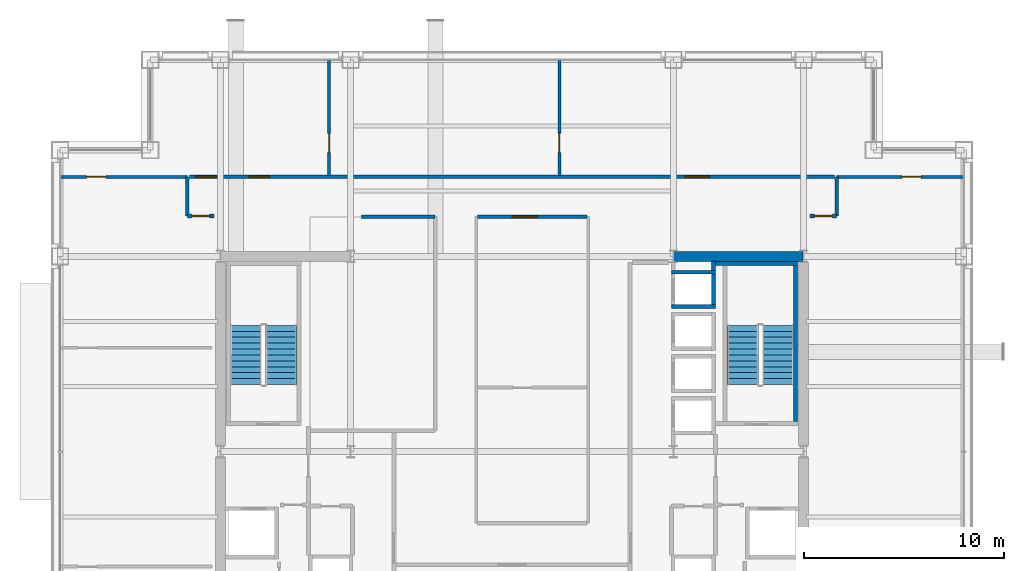
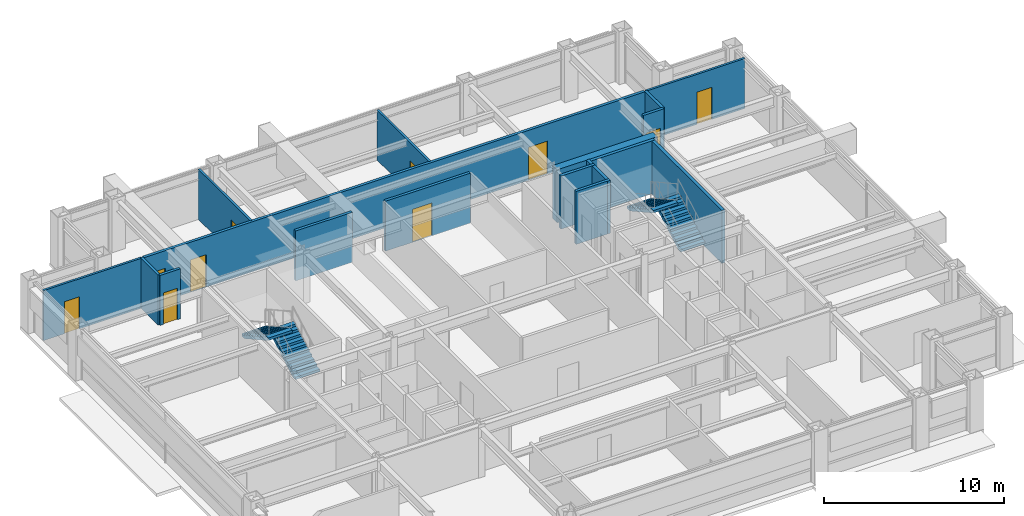
# One storey, part 33 of 34: 17 walls, 10 doors, 4 stair flights, 10 openings, 2 elements without a shape of their own.
"""IFC4 building model written with IfcOpenShell, lengths in metres."""

from ifc_helpers import new_model, si_unit, direction, frame, frame_2d, origin, place, context, subcontext, project, spatial, polyline, rectangle, outline, extrude, material, layer, layer_set, type_object, element, fill, aggregate, save


model = new_model("IFC4")

# Units and contexts
model_context = context("Model", 3, precision=1e-05, world=origin(), true_north=direction((0.0, 1.0)))
body_context = subcontext(model_context, "Body", "Model", "MODEL_VIEW")
ifc_project = project(units=[si_unit("LENGTHUNIT", "METRE"), si_unit("AREAUNIT", "SQUARE_METRE"), si_unit("VOLUMEUNIT", "CUBIC_METRE"), si_unit("PLANEANGLEUNIT", "RADIAN"), si_unit("MASSUNIT", "GRAM", prefix="KILO")], contexts=[model_context])

# Site, building, storey
site_placement = place(None, origin())
site = spatial("IfcSite", under=ifc_project, at=site_placement, CompositionType="ELEMENT")
building_placement = place(site_placement, origin())
building = spatial("IfcBuilding", under=site, at=building_placement, Name="Brelmoor Portico Tower", CompositionType="ELEMENT")
storey_placement = place(building_placement, frame((0.0, 0.0, 117.0)))
storey = spatial("IfcBuildingStorey", under=building, at=storey_placement, Name="L30", CompositionType="ELEMENT", Elevation=117.0)

# Wall
ifc_material_1 = material(Name="Concrete C60", Category="concrete")
ifc_layer_1 = layer(ifc_material_1, 0.5)
ifc_layer_set_1 = layer_set([ifc_layer_1], Name="Concrete C60")
wall_type_1 = type_object("IfcWallType", Name="WL-CORE-500", PredefinedType="SHEAR", material=ifc_layer_set_1)
wall_1_placement = place(storey_placement, frame((8.070068359375, 9.75, -0.199951171875), z_axis=(0.0, 0.0, 1.0), x_axis=(1.0, 0.0, 0.0)))
element("IfcWall", 1, at=wall_1_placement, inside=storey, type_object=wall_type_1, Name="L30 EC North Shear Wall", PredefinedType="SHEAR", context=body_context, shape_type="SweptSolid", body=[
    extrude(rectangle(XDim=6.4599609375, YDim=0.5, at=frame_2d((3.22998046875, 0.0))), origin(), (0.0, 0.0, 1.0), 3.599853515625),
])

# Wall, opening, door
ifc_material_2 = material(Name="Insulated Stud Suite Partition", Category="gypsum")
ifc_layer_2 = layer(ifc_material_2, 0.139892578125)
ifc_layer_set_2 = layer_set([ifc_layer_2], Name="Insulated Stud Suite Partition")
wall_type_2 = type_object("IfcWallType", Name="WL-PART-140", PredefinedType="PARTITIONING", material=ifc_layer_set_2)
wall_2_placement = place(storey_placement, frame((-9.13134765625, 13.77001953125, 0.0), z_axis=(0.0, 0.0, 1.0), x_axis=(0.0, 1.0, 0.0)))
wall_2 = element("IfcWall", 2, at=wall_2_placement, inside=storey, type_object=wall_type_2, Name="L30 North Suite Partition 1", PredefinedType="PARTITIONING", context=body_context, shape_type="SweptSolid", body=[
    extrude(rectangle(XDim=5.7900390625, YDim=0.139892578125, at=frame_2d((2.89501953125, 0.0))), origin(), (0.0, 0.0, 1.0), 3.39990234375),
])
opening_1_placement = place(wall_2_placement, frame((1.14990234375, 0.0, 0.0)))
opening_1 = element("IfcOpeningElement", 3, at=opening_1_placement, cuts=wall_2, Name="Opening D-IN2", PredefinedType="OPENING", context=body_context, shape_type="SweptSolid", body=[
    extrude(rectangle(XDim=0.9599609375, YDim=2.179931640625, at=frame_2d((0.47998046875, 1.08984375))), frame((0.0, 0.079833984375, 0.0), z_axis=(0.0, -1.0, 0.0), x_axis=(1.0, 0.0, 0.0)), (0.0, 0.0, 1.0), 0.159912109375),
])
ifc_material_3 = material(Name="Lacquered Timber Suite Door", Category="wood")
door_type_1 = type_object("IfcDoorType", Name="DR-INT-950", OperationType="NOTDEFINED", PredefinedType="DOOR", material=ifc_material_3)
door_1_placement = place(opening_1_placement, origin())
door_1 = element("IfcDoor", 4, at=door_1_placement, inside=storey, type_object=door_type_1, Name="D-1329 L30 North Suite Connecting Door 1", OperationType="SINGLE_SWING_RIGHT", OverallHeight=2.179931640625, OverallWidth=0.9599609375, PredefinedType="DOOR", context=body_context, shape_type="SweptSolid", body=[
    extrude(rectangle(XDim=0.9599609375, YDim=2.179931640625, at=frame_2d((0.47998046875, 1.08984375))), frame((0.0, 0.02490234375, 0.0), z_axis=(0.0, -1.0, 0.0), x_axis=(1.0, 0.0, 0.0)), (0.0, 0.0, 1.0), 0.050048828125),
])
fill(opening_1, door_1)

wall_3_placement = place(storey_placement, frame((2.367431640625, 13.77001953125, 0.0), z_axis=(0.0, 0.0, 1.0), x_axis=(0.0, 1.0, 0.0)))
wall_3 = element("IfcWall", 5, at=wall_3_placement, inside=storey, type_object=wall_type_2, Name="L30 North Suite Partition 2", PredefinedType="PARTITIONING", context=body_context, shape_type="SweptSolid", body=[
    extrude(rectangle(XDim=5.7900390625, YDim=0.139892578125, at=frame_2d((2.89501953125, 0.0))), origin(), (0.0, 0.0, 1.0), 3.39990234375),
])
opening_2_placement = place(wall_3_placement, frame((1.14990234375, 0.0, 0.0)))
opening_2 = element("IfcOpeningElement", 6, at=opening_2_placement, cuts=wall_3, Name="Opening D-IN2", PredefinedType="OPENING", context=body_context, shape_type="SweptSolid", body=[
    extrude(rectangle(XDim=0.9599609375, YDim=2.179931640625, at=frame_2d((0.47998046875, 1.08984375))), frame((0.0, 0.079833984375, 0.0), z_axis=(0.0, -1.0, 0.0), x_axis=(1.0, 0.0, 0.0)), (0.0, 0.0, 1.0), 0.159912109375),
])
door_2_placement = place(opening_2_placement, origin())
door_2 = element("IfcDoor", 7, at=door_2_placement, inside=storey, type_object=door_type_1, Name="D-1330 L30 North Suite Connecting Door 2", OperationType="SINGLE_SWING_LEFT", OverallHeight=2.179931640625, OverallWidth=0.9599609375, PredefinedType="DOOR", context=body_context, shape_type="SweptSolid", body=[
    extrude(rectangle(XDim=0.9599609375, YDim=2.179931640625, at=frame_2d((0.47998046875, 1.08984375))), frame((0.0, 0.02490234375, 0.0), z_axis=(0.0, -1.0, 0.0), x_axis=(1.0, 0.0, 0.0)), (0.0, 0.0, 1.0), 0.050048828125),
])
fill(opening_2, door_2)

wall_4_placement = place(storey_placement, frame((-22.56005859375, 13.7099609375, 0.0), z_axis=(0.0, 0.0, 1.0), x_axis=(1.0, 0.0, 0.0)))
wall_4 = element("IfcWall", 8, at=wall_4_placement, inside=storey, type_object=wall_type_2, Name="L30 North Wing Closure WL", PredefinedType="PARTITIONING", context=body_context, shape_type="SweptSolid", body=[
    extrude(rectangle(XDim=6.360107421875, YDim=0.139892578125, at=frame_2d((3.18017578125, 0.0))), origin(), (0.0, 0.0, 1.0), 3.39990234375),
])
opening_3_placement = place(wall_4_placement, frame((1.340087890625, 0.0, 0.0)))
opening_3 = element("IfcOpeningElement", 9, at=opening_3_placement, cuts=wall_4, Name="Opening D-IN2", PredefinedType="OPENING", context=body_context, shape_type="SweptSolid", body=[
    extrude(rectangle(XDim=0.9599609375, YDim=2.179931640625, at=frame_2d((0.47998046875, 1.08984375))), frame((0.0, 0.079833984375, 0.0), z_axis=(0.0, -1.0, 0.0), x_axis=(1.0, 0.0, 0.0)), (0.0, 0.0, 1.0), 0.159912109375),
])
door_3_placement = place(opening_3_placement, origin())
door_3 = element("IfcDoor", 10, at=door_3_placement, inside=storey, type_object=door_type_1, Name="D-1332 L30 WL Wing North Suite Door", OperationType="SINGLE_SWING_LEFT", OverallHeight=2.179931640625, OverallWidth=0.9599609375, PredefinedType="DOOR", context=body_context, shape_type="SweptSolid", body=[
    extrude(rectangle(XDim=0.9599609375, YDim=2.179931640625, at=frame_2d((0.47998046875, 1.08984375))), frame((0.0, 0.02490234375, 0.0), z_axis=(0.0, -1.0, 0.0), x_axis=(1.0, 0.0, 0.0)), (0.0, 0.0, 1.0), 0.050048828125),
])
fill(opening_3, door_3)

wall_5_placement = place(storey_placement, frame((16.199951171875, 13.7099609375, 0.0), z_axis=(0.0, 0.0, 1.0), x_axis=(1.0, 0.0, 0.0)))
wall_5 = element("IfcWall", 11, at=wall_5_placement, inside=storey, type_object=wall_type_2, Name="L30 North Wing Closure ER", PredefinedType="PARTITIONING", context=body_context, shape_type="SweptSolid", body=[
    extrude(rectangle(XDim=6.360107421875, YDim=0.139892578125, at=frame_2d((3.18017578125, 0.0))), origin(), (0.0, 0.0, 1.0), 3.39990234375),
])
opening_4_placement = place(wall_5_placement, frame((3.260009765625, 0.0, 0.0)))
opening_4 = element("IfcOpeningElement", 12, at=opening_4_placement, cuts=wall_5, Name="Opening D-IN2", PredefinedType="OPENING", context=body_context, shape_type="SweptSolid", body=[
    extrude(rectangle(XDim=0.9599609375, YDim=2.179931640625, at=frame_2d((0.47998046875, 1.08984375))), frame((0.0, 0.079833984375, 0.0), z_axis=(0.0, -1.0, 0.0), x_axis=(1.0, 0.0, 0.0)), (0.0, 0.0, 1.0), 0.159912109375),
])
door_4_placement = place(opening_4_placement, origin())
door_4 = element("IfcDoor", 13, at=door_4_placement, inside=storey, type_object=door_type_1, Name="D-1331 L30 ER Wing North Suite Door", OperationType="SINGLE_SWING_RIGHT", OverallHeight=2.179931640625, OverallWidth=0.9599609375, PredefinedType="DOOR", context=body_context, shape_type="SweptSolid", body=[
    extrude(rectangle(XDim=0.9599609375, YDim=2.179931640625, at=frame_2d((0.47998046875, 1.08984375))), frame((0.0, 0.02490234375, 0.0), z_axis=(0.0, -1.0, 0.0), x_axis=(1.0, 0.0, 0.0)), (0.0, 0.0, 1.0), 0.050048828125),
])
fill(opening_4, door_4)

# Wall
ifc_material_4 = material(Name="Acoustic Corridor Fire Partition", Category="gypsum")
ifc_layer_3 = layer(ifc_material_4, 0.179931640625)
ifc_layer_set_3 = layer_set([ifc_layer_3], Name="Acoustic Corridor Fire Partition")
wall_type_3 = type_object("IfcWallType", Name="WL-PART-180", PredefinedType="PARTITIONING", material=ifc_layer_set_3)
wall_6_placement = place(storey_placement, frame((-7.5, 11.72998046875, 0.0), z_axis=(0.0, 0.0, 1.0), x_axis=(1.0, 0.0, 0.0)))
element("IfcWall", 14, at=wall_6_placement, inside=storey, type_object=wall_type_3, Name="L30 Reclaimed West Suite North Wall", PredefinedType="PARTITIONING", context=body_context, shape_type="SweptSolid", body=[
    extrude(rectangle(XDim=3.659912109375, YDim=0.179931640625, at=frame_2d((1.830078125, 0.0))), origin(), (0.0, 0.0, 1.0), 3.39990234375),
])

# Wall, opening, door
wall_7_placement = place(storey_placement, frame((-1.72998046875, 11.72998046875, 0.0), z_axis=(0.0, 0.0, 1.0), x_axis=(1.0, 0.0, 0.0)))
wall_7 = element("IfcWall", 15, at=wall_7_placement, inside=storey, type_object=wall_type_3, Name="L30 Central Meeting North Wall", PredefinedType="PARTITIONING", context=body_context, shape_type="SweptSolid", body=[
    extrude(rectangle(XDim=5.47998046875, YDim=0.179931640625, at=frame_2d((2.739990234375, 0.0))), origin(), (0.0, 0.0, 1.0), 3.39990234375),
])
opening_5_placement = place(wall_7_placement, frame((1.75, 0.0, 0.0)))
opening_5 = element("IfcOpeningElement", 16, at=opening_5_placement, cuts=wall_7, Name="Opening D-SU1", PredefinedType="OPENING", context=body_context, shape_type="SweptSolid", body=[
    extrude(rectangle(XDim=1.239990234375, YDim=2.239990234375, at=frame_2d((0.6201171875, 1.1201171875))), frame((0.0, 0.099853515625, 0.0), z_axis=(0.0, -1.0, 0.0), x_axis=(1.0, 0.0, 0.0)), (0.0, 0.0, 1.0), 0.199951171875),
])
ifc_material_5 = material(Name="Glazed Timber Executive Suite Door", Category="wood")
door_type_2 = type_object("IfcDoorType", Name="DR-SUITE-1200", OperationType="NOTDEFINED", PredefinedType="DOOR", material=ifc_material_5)
door_5_placement = place(opening_5_placement, origin())
door_5 = element("IfcDoor", 17, at=door_5_placement, inside=storey, type_object=door_type_2, Name="D-1312 L30 Client Meeting Room Door", OperationType="SINGLE_SWING_LEFT", OverallHeight=2.239990234375, OverallWidth=1.239990234375, PredefinedType="DOOR", context=body_context, shape_type="SweptSolid", body=[
    extrude(rectangle(XDim=1.239990234375, YDim=2.239990234375, at=frame_2d((0.6201171875, 1.1201171875))), frame((0.0, 0.02490234375, 0.0), z_axis=(0.0, -1.0, 0.0), x_axis=(1.0, 0.0, 0.0)), (0.0, 0.0, 1.0), 0.050048828125),
])
fill(opening_5, door_5)

# Wall, openings, doors
wall_8_placement = place(storey_placement, frame((-16.10009765625, 13.7099609375, 0.0), z_axis=(0.0, 0.0, 1.0), x_axis=(1.0, 0.0, 0.0)))
wall_8 = element("IfcWall", 18, at=wall_8_placement, inside=storey, type_object=wall_type_3, Name="L30 North Corridor Partition", PredefinedType="PARTITIONING", context=body_context, shape_type="SweptSolid", body=[
    extrude(rectangle(XDim=32.2001953125, YDim=0.179931640625, at=frame_2d((16.10009765625, 0.0))), origin(), (0.0, 0.0, 1.0), 3.39990234375),
])
opening_6_placement = place(wall_8_placement, frame((2.974365234375, 0.0, 0.0)))
opening_6 = element("IfcOpeningElement", 19, at=opening_6_placement, cuts=wall_8, Name="Opening D-OF1", PredefinedType="OPENING", context=body_context, shape_type="SweptSolid", body=[
    extrude(rectangle(XDim=1.02001953125, YDim=2.199951171875, at=frame_2d((0.510009765625, 1.10009765625))), frame((0.0, 0.099853515625, 0.0), z_axis=(0.0, -1.0, 0.0), x_axis=(1.0, 0.0, 0.0)), (0.0, 0.0, 1.0), 0.199951171875),
])
opening_7_placement = place(wall_8_placement, frame((0.300048828125, 0.0, 0.0)))
opening_7 = element("IfcOpeningElement", 20, at=opening_7_placement, cuts=wall_8, Name="Opening D-OF2", PredefinedType="OPENING", context=body_context, shape_type="SweptSolid", body=[
    extrude(rectangle(XDim=1.06005859375, YDim=2.199951171875, at=frame_2d((0.530029296875, 1.10009765625))), frame((0.0, 0.099853515625, 0.0), z_axis=(0.0, -1.0, 0.0), x_axis=(1.0, 0.0, 0.0)), (0.0, 0.0, 1.0), 0.199951171875),
])
opening_8_placement = place(wall_8_placement, frame((24.713623046875, 0.0, 0.0)))
opening_8 = element("IfcOpeningElement", 21, at=opening_8_placement, cuts=wall_8, Name="Opening D-SU1", PredefinedType="OPENING", context=body_context, shape_type="SweptSolid", body=[
    extrude(rectangle(XDim=1.239990234375, YDim=2.239990234375, at=frame_2d((0.6201171875, 1.1201171875))), frame((0.0, 0.099853515625, 0.0), z_axis=(0.0, -1.0, 0.0), x_axis=(1.0, 0.0, 0.0)), (0.0, 0.0, 1.0), 0.199951171875),
])
ifc_material_6 = material(Name="Hardwood Acoustic Veneer Door", Category="wood")
door_type_3 = type_object("IfcDoorType", Name="DR-OFFICE-1000", OperationType="NOTDEFINED", PredefinedType="DOOR", material=ifc_material_6)
door_6_placement = place(opening_6_placement, origin())
door_6 = element("IfcDoor", 22, at=door_6_placement, inside=storey, type_object=door_type_3, Name="D-1326 L30 North Open-Plan Office 1 Door", OperationType="SINGLE_SWING_RIGHT", OverallHeight=2.199951171875, OverallWidth=1.02001953125, PredefinedType="DOOR", context=body_context, shape_type="SweptSolid", body=[
    extrude(rectangle(XDim=1.02001953125, YDim=2.199951171875, at=frame_2d((0.510009765625, 1.10009765625))), frame((0.0, 0.02490234375, 0.0), z_axis=(0.0, -1.0, 0.0), x_axis=(1.0, 0.0, 0.0)), (0.0, 0.0, 1.0), 0.050048828125),
])
fill(opening_6, door_6)
door_type_4 = type_object("IfcDoorType", Name="DR-OFFICE-1050", OperationType="NOTDEFINED", PredefinedType="DOOR", material=ifc_material_6)
door_7_placement = place(opening_7_placement, origin())
door_7 = element("IfcDoor", 23, at=door_7_placement, inside=storey, type_object=door_type_4, Name="D-1327 L30 North Cellular Office 2 Door", OperationType="SINGLE_SWING_LEFT", OverallHeight=2.199951171875, OverallWidth=1.06005859375, PredefinedType="DOOR", context=body_context, shape_type="SweptSolid", body=[
    extrude(rectangle(XDim=1.06005859375, YDim=2.199951171875, at=frame_2d((0.530029296875, 1.10009765625))), frame((0.0, 0.02490234375, 0.0), z_axis=(0.0, -1.0, 0.0), x_axis=(1.0, 0.0, 0.0)), (0.0, 0.0, 1.0), 0.050048828125),
])
fill(opening_7, door_7)
door_8_placement = place(opening_8_placement, origin())
door_8 = element("IfcDoor", 24, at=door_8_placement, inside=storey, type_object=door_type_2, Name="D-1328 L30 North Technical Archive Store 3 Door", OperationType="SINGLE_SWING_RIGHT", OverallHeight=2.239990234375, OverallWidth=1.239990234375, PredefinedType="DOOR", context=body_context, shape_type="SweptSolid", body=[
    extrude(rectangle(XDim=1.239990234375, YDim=2.239990234375, at=frame_2d((0.6201171875, 1.1201171875))), frame((0.0, 0.02490234375, 0.0), z_axis=(0.0, -1.0, 0.0), x_axis=(1.0, 0.0, 0.0)), (0.0, 0.0, 1.0), 0.050048828125),
])
fill(opening_8, door_8)

# Wall, opening, door
wall_9_placement = place(storey_placement, frame((-16.199951171875, 11.760009765625, 0.0), z_axis=(0.0, 0.0, 1.0), x_axis=(1.0, 0.0, 0.0)))
wall_9 = element("IfcWall", 25, at=wall_9_placement, inside=storey, type_object=wall_type_3, Name="L30 W Wing North Entry Wall", PredefinedType="PARTITIONING", context=body_context, shape_type="SweptSolid", body=[
    extrude(rectangle(XDim=1.320068359375, YDim=0.179931640625, at=frame_2d((0.66015625, 0.0))), origin(), (0.0, 0.0, 1.0), 3.39990234375),
])
opening_9_placement = place(wall_9_placement, frame((0.2099609375, 0.0, 0.0)))
opening_9 = element("IfcOpeningElement", 26, at=opening_9_placement, cuts=wall_9, Name="Opening D-IN1", PredefinedType="OPENING", context=body_context, shape_type="SweptSolid", body=[
    extrude(rectangle(XDim=0.89990234375, YDim=2.14990234375, at=frame_2d((0.449951171875, 1.074951171875))), frame((0.0, 0.099853515625, 0.0), z_axis=(0.0, -1.0, 0.0), x_axis=(1.0, 0.0, 0.0)), (0.0, 0.0, 1.0), 0.199951171875),
])
door_type_5 = type_object("IfcDoorType", Name="DR-INT-900", OperationType="NOTDEFINED", PredefinedType="DOOR", material=ifc_material_3)
door_9_placement = place(opening_9_placement, origin())
door_9 = element("IfcDoor", 27, at=door_9_placement, inside=storey, type_object=door_type_5, Name="D-1344 L30 W Wing Entry Door", OperationType="SINGLE_SWING_RIGHT", OverallHeight=2.14990234375, OverallWidth=0.89990234375, PredefinedType="DOOR", context=body_context, shape_type="SweptSolid", body=[
    extrude(rectangle(XDim=0.89990234375, YDim=2.14990234375, at=frame_2d((0.449951171875, 1.074951171875))), frame((0.0, 0.02490234375, 0.0), z_axis=(0.0, -1.0, 0.0), x_axis=(1.0, 0.0, 0.0)), (0.0, 0.0, 1.0), 0.050048828125),
])
fill(opening_9, door_9)

# Wall
wall_10_placement = place(storey_placement, frame((-16.199951171875, 11.760009765625, 0.0), z_axis=(0.0, 0.0, 1.0), x_axis=(0.0, 1.0, 0.0)))
element("IfcWall", 28, at=wall_10_placement, inside=storey, type_object=wall_type_3, Name="L30 W Corridor End Closure", PredefinedType="PARTITIONING", context=body_context, shape_type="SweptSolid", body=[
    extrude(rectangle(XDim=1.949951171875, YDim=0.179931640625, at=frame_2d((0.97509765625, 0.0))), origin(), (0.0, 0.0, 1.0), 3.39990234375),
])

# Wall, opening, door
wall_11_placement = place(storey_placement, frame((14.8798828125, 11.760009765625, 0.0), z_axis=(0.0, 0.0, 1.0), x_axis=(1.0, 0.0, 0.0)))
wall_11 = element("IfcWall", 29, at=wall_11_placement, inside=storey, type_object=wall_type_3, Name="L30 E Wing North Entry Wall", PredefinedType="PARTITIONING", context=body_context, shape_type="SweptSolid", body=[
    extrude(rectangle(XDim=1.320068359375, YDim=0.179931640625, at=frame_2d((0.66015625, 0.0))), origin(), (0.0, 0.0, 1.0), 3.39990234375),
])
opening_10_placement = place(wall_11_placement, frame((0.2099609375, 0.0, 0.0)))
opening_10 = element("IfcOpeningElement", 30, at=opening_10_placement, cuts=wall_11, Name="Opening D-IN1", PredefinedType="OPENING", context=body_context, shape_type="SweptSolid", body=[
    extrude(rectangle(XDim=0.89990234375, YDim=2.14990234375, at=frame_2d((0.449951171875, 1.074951171875))), frame((0.0, 0.099853515625, 0.0), z_axis=(0.0, -1.0, 0.0), x_axis=(1.0, 0.0, 0.0)), (0.0, 0.0, 1.0), 0.199951171875),
])
door_10_placement = place(opening_10_placement, origin())
door_10 = element("IfcDoor", 31, at=door_10_placement, inside=storey, type_object=door_type_5, Name="D-1343 L30 E Wing Entry Door", OperationType="SINGLE_SWING_LEFT", OverallHeight=2.14990234375, OverallWidth=0.89990234375, PredefinedType="DOOR", context=body_context, shape_type="SweptSolid", body=[
    extrude(rectangle(XDim=0.89990234375, YDim=2.14990234375, at=frame_2d((0.449951171875, 1.074951171875))), frame((0.0, 0.02490234375, 0.0), z_axis=(0.0, -1.0, 0.0), x_axis=(1.0, 0.0, 0.0)), (0.0, 0.0, 1.0), 0.050048828125),
])
fill(opening_10, door_10)

# Walls
wall_12_placement = place(storey_placement, frame((16.199951171875, 11.760009765625, 0.0), z_axis=(0.0, 0.0, 1.0), x_axis=(0.0, 1.0, 0.0)))
element("IfcWall", 32, at=wall_12_placement, inside=storey, type_object=wall_type_3, Name="L30 E Corridor End Closure", PredefinedType="PARTITIONING", context=body_context, shape_type="SweptSolid", body=[
    extrude(rectangle(XDim=1.949951171875, YDim=0.179931640625, at=frame_2d((0.97509765625, 0.0))), origin(), (0.0, 0.0, 1.0), 3.39990234375),
])
ifc_material_7 = material(Name="Precast Concrete C40", Category="concrete")
ifc_layer_4 = layer(ifc_material_7, 0.18994140625)
ifc_layer_set_4 = layer_set([ifc_layer_4], Name="Precast Concrete C40")
wall_type_4 = type_object("IfcWallType", Name="WL-SHAFT-180", PredefinedType="SOLIDWALL", material=ifc_layer_set_4)
wall_13_placement = place(storey_placement, frame((10.054931640625, 7.14990234375, -0.199951171875), z_axis=(0.0, 0.0, 1.0), x_axis=(0.0, 1.0, 0.0)))
element("IfcWall", 33, at=wall_13_placement, inside=storey, type_object=wall_type_4, Name="L30 Lift PM4 Hoistway Back Wall", PredefinedType="SOLIDWALL", context=body_context, shape_type="SweptSolid", body=[
    extrude(rectangle(XDim=2.3701171875, YDim=0.18994140625, at=frame_2d((1.18505859375, 0.0))), origin(), (0.0, 0.0, 1.0), 3.599853515625),
])
for number, where, z_axis, x_axis, name in (
    (34, (7.949951171875, 8.955078125, -0.199951171875), (0.0, 0.0, 1.0), (1.0, 0.0, 0.0), "L30 Lift PM4 Hoistway North Wall"),
    (35, (7.949951171875, 7.2451171875, -0.199951171875), (0.0, 0.0, 1.0), (1.0, 0.0, 0.0), "L30 Lift PM4 Hoistway South Wall"),
):
    element("IfcWall", number, at=place(storey_placement, frame(where, z_axis=z_axis, x_axis=x_axis)), inside=storey, type_object=wall_type_4, Name=name, PredefinedType="SOLIDWALL", context=body_context, shape_type="SweptSolid", body=[
        extrude(rectangle(XDim=2.199951171875, YDim=0.18994140625, at=frame_2d((1.10009765625, 0.0))), origin(), (0.0, 0.0, 1.0), 3.599853515625),
    ])
ifc_material_8 = material(Name="Concrete C40", Category="concrete")
ifc_layer_5 = layer(ifc_material_8, 0.199951171875)
ifc_layer_set_5 = layer_set([ifc_layer_5], Name="Concrete C40")
wall_type_5 = type_object("IfcWallType", Name="WL-SHAFT-RC200", PredefinedType="SOLIDWALL", material=ifc_layer_set_5)
wall_14_placement = place(storey_placement, frame((14.14990234375, 1.5, -0.199951171875), z_axis=(0.0, 0.0, 1.0), x_axis=(0.0, 1.0, 0.0)))
element("IfcWall", 36, at=wall_14_placement, inside=storey, type_object=wall_type_5, Name="L30 ST-E Structural Stair Wall Outer", PredefinedType="SOLIDWALL", context=body_context, shape_type="SweptSolid", body=[
    extrude(rectangle(XDim=7.800048828125, YDim=0.199951171875, at=frame_2d((3.89990234375, 0.0))), origin(), (0.0, 0.0, 1.0), 3.599853515625),
])
wall_15_placement = place(storey_placement, frame((10.14990234375, 9.39990234375, -0.199951171875), z_axis=(0.0, 0.0, 1.0), x_axis=(1.0, 0.0, 0.0)))
element("IfcWall", 37, at=wall_15_placement, inside=storey, type_object=wall_type_5, Name="L30 ST-E Structural Stair Wall N", PredefinedType="SOLIDWALL", context=body_context, shape_type="SweptSolid", body=[
    extrude(rectangle(XDim=4.10009765625, YDim=0.199951171875, at=frame_2d((2.050048828125, 0.0))), origin(), (0.0, 0.0, 1.0), 3.599853515625),
])

# Stair, stair flights
stair_type_1 = type_object("IfcStairType", Name="ST-CORE-W", PredefinedType="HALF_TURN_STAIR", material=ifc_material_8)
stair_1_placement = place(storey_placement, origin())
stair_1 = element("IfcStair", 38, at=stair_1_placement, inside=storey, type_object=stair_type_1, Name="L30 Protected Core Exit Stair ST-W", PredefinedType="HALF_TURN_STAIR")
stair_flight_type = type_object("IfcStairFlightType", Name="SF-CORE-1850", PredefinedType="STRAIGHT", material=ifc_material_8)
stair_flight_1_placement = place(storey_placement, frame((-11.510009765625, 3.35009765625, 0.0), z_axis=(0.0, 0.0, 1.0), x_axis=(0.0, 1.0, 0.0)))
stair_flight_1 = element("IfcStairFlight", 39, at=stair_flight_1_placement, type_object=stair_flight_type, Name="ST-W flight 1", NumberOfRisers=11, NumberOfTreads=10, PredefinedType="STRAIGHT", RiserHeight=0.163636364, TreadLength=0.295, context=body_context, shape_type="SweptSolid", body=[
    extrude(outline(polyline([(0.0, 0.0), (0.0, 0.16357421875), (0.294921875, 0.16357421875), (0.294921875, 0.327392578125), (0.590087890625, 0.327392578125), (0.590087890625, 0.490966796875), (0.885009765625, 0.490966796875), (0.885009765625, 0.654541015625), (1.179931640625, 0.654541015625), (1.179931640625, 0.818115234375), (1.47509765625, 0.818115234375), (1.47509765625, 0.98193359375), (1.77001953125, 0.98193359375), (1.77001953125, 1.1455078125), (2.06494140625, 1.1455078125), (2.06494140625, 1.30908203125), (2.360107421875, 1.30908203125), (2.360107421875, 1.47265625), (2.655029296875, 1.47265625), (2.655029296875, 1.636474609375), (2.949951171875, 1.636474609375), (2.949951171875, 1.800048828125), (2.949951171875, 1.46484375), (0.30908203125, 0.0), (0.0, 0.0)])), frame((0.0, 0.780029296875, 0.0), z_axis=(0.0, -1.0, 0.0), x_axis=(1.0, 0.0, 0.0)), (0.0, 0.0, 1.0), 1.56005859375),
])
stair_flight_2_placement = place(storey_placement, frame((-13.27001953125, 6.300048828125, 1.800048828125), z_axis=(0.0, 0.0, 1.0), x_axis=(0.0, -1.0, 0.0)))
stair_flight_2 = element("IfcStairFlight", 40, at=stair_flight_2_placement, type_object=stair_flight_type, Name="ST-W flight 2", NumberOfRisers=11, NumberOfTreads=10, PredefinedType="STRAIGHT", RiserHeight=0.163636364, TreadLength=0.295, context=body_context, shape_type="SweptSolid", body=[
    extrude(outline(polyline([(0.0, 0.0), (0.0, 0.16357421875), (0.294921875, 0.16357421875), (0.294921875, 0.327392578125), (0.590087890625, 0.327392578125), (0.590087890625, 0.490966796875), (0.885009765625, 0.490966796875), (0.885009765625, 0.654541015625), (1.179931640625, 0.654541015625), (1.179931640625, 0.818115234375), (1.47509765625, 0.818115234375), (1.47509765625, 0.98193359375), (1.77001953125, 0.98193359375), (1.77001953125, 1.1455078125), (2.06494140625, 1.1455078125), (2.06494140625, 1.30908203125), (2.360107421875, 1.30908203125), (2.360107421875, 1.47265625), (2.655029296875, 1.47265625), (2.655029296875, 1.636474609375), (2.949951171875, 1.636474609375), (2.949951171875, 1.800048828125), (2.949951171875, 1.46484375), (0.30908203125, 0.0), (0.0, 0.0)])), frame((0.0, 0.780029296875, 0.0), z_axis=(0.0, -1.0, 0.0), x_axis=(1.0, 0.0, 0.0)), (0.0, 0.0, 1.0), 1.56005859375),
])
aggregate(stair_1, [stair_flight_1, stair_flight_2])

stair_type_2 = type_object("IfcStairType", Name="ST-CORE-E", PredefinedType="HALF_TURN_STAIR", material=ifc_material_8)
stair_2_placement = place(storey_placement, origin())
stair_2 = element("IfcStair", 41, at=stair_2_placement, inside=storey, type_object=stair_type_2, Name="L30 Protected Core Exit Stair ST-E", PredefinedType="HALF_TURN_STAIR")
stair_flight_3_placement = place(storey_placement, frame((13.27001953125, 3.35009765625, 0.0), z_axis=(0.0, 0.0, 1.0), x_axis=(0.0, 1.0, 0.0)))
stair_flight_3 = element("IfcStairFlight", 42, at=stair_flight_3_placement, type_object=stair_flight_type, Name="ST-E flight 1", NumberOfRisers=11, NumberOfTreads=10, PredefinedType="STRAIGHT", RiserHeight=0.163636364, TreadLength=0.295, context=body_context, shape_type="SweptSolid", body=[
    extrude(outline(polyline([(0.0, 0.0), (0.0, 0.16357421875), (0.294921875, 0.16357421875), (0.294921875, 0.327392578125), (0.590087890625, 0.327392578125), (0.590087890625, 0.490966796875), (0.885009765625, 0.490966796875), (0.885009765625, 0.654541015625), (1.179931640625, 0.654541015625), (1.179931640625, 0.818115234375), (1.47509765625, 0.818115234375), (1.47509765625, 0.98193359375), (1.77001953125, 0.98193359375), (1.77001953125, 1.1455078125), (2.06494140625, 1.1455078125), (2.06494140625, 1.30908203125), (2.360107421875, 1.30908203125), (2.360107421875, 1.47265625), (2.655029296875, 1.47265625), (2.655029296875, 1.636474609375), (2.949951171875, 1.636474609375), (2.949951171875, 1.800048828125), (2.949951171875, 1.46484375), (0.30908203125, 0.0), (0.0, 0.0)])), frame((0.0, 0.780029296875, 0.0), z_axis=(0.0, -1.0, 0.0), x_axis=(1.0, 0.0, 0.0)), (0.0, 0.0, 1.0), 1.56005859375),
])
stair_flight_4_placement = place(storey_placement, frame((11.510009765625, 6.300048828125, 1.800048828125), z_axis=(0.0, 0.0, 1.0), x_axis=(0.0, -1.0, 0.0)))
stair_flight_4 = element("IfcStairFlight", 43, at=stair_flight_4_placement, type_object=stair_flight_type, Name="ST-E flight 2", NumberOfRisers=11, NumberOfTreads=10, PredefinedType="STRAIGHT", RiserHeight=0.163636364, TreadLength=0.295, context=body_context, shape_type="SweptSolid", body=[
    extrude(outline(polyline([(0.0, 0.0), (0.0, 0.16357421875), (0.294921875, 0.16357421875), (0.294921875, 0.327392578125), (0.590087890625, 0.327392578125), (0.590087890625, 0.490966796875), (0.885009765625, 0.490966796875), (0.885009765625, 0.654541015625), (1.179931640625, 0.654541015625), (1.179931640625, 0.818115234375), (1.47509765625, 0.818115234375), (1.47509765625, 0.98193359375), (1.77001953125, 0.98193359375), (1.77001953125, 1.1455078125), (2.06494140625, 1.1455078125), (2.06494140625, 1.30908203125), (2.360107421875, 1.30908203125), (2.360107421875, 1.47265625), (2.655029296875, 1.47265625), (2.655029296875, 1.636474609375), (2.949951171875, 1.636474609375), (2.949951171875, 1.800048828125), (2.949951171875, 1.46484375), (0.30908203125, 0.0), (0.0, 0.0)])), frame((0.0, 0.780029296875, 0.0), z_axis=(0.0, -1.0, 0.0), x_axis=(1.0, 0.0, 0.0)), (0.0, 0.0, 1.0), 1.56005859375),
])
aggregate(stair_2, [stair_flight_3, stair_flight_4])

save(model, "model.ifc")
